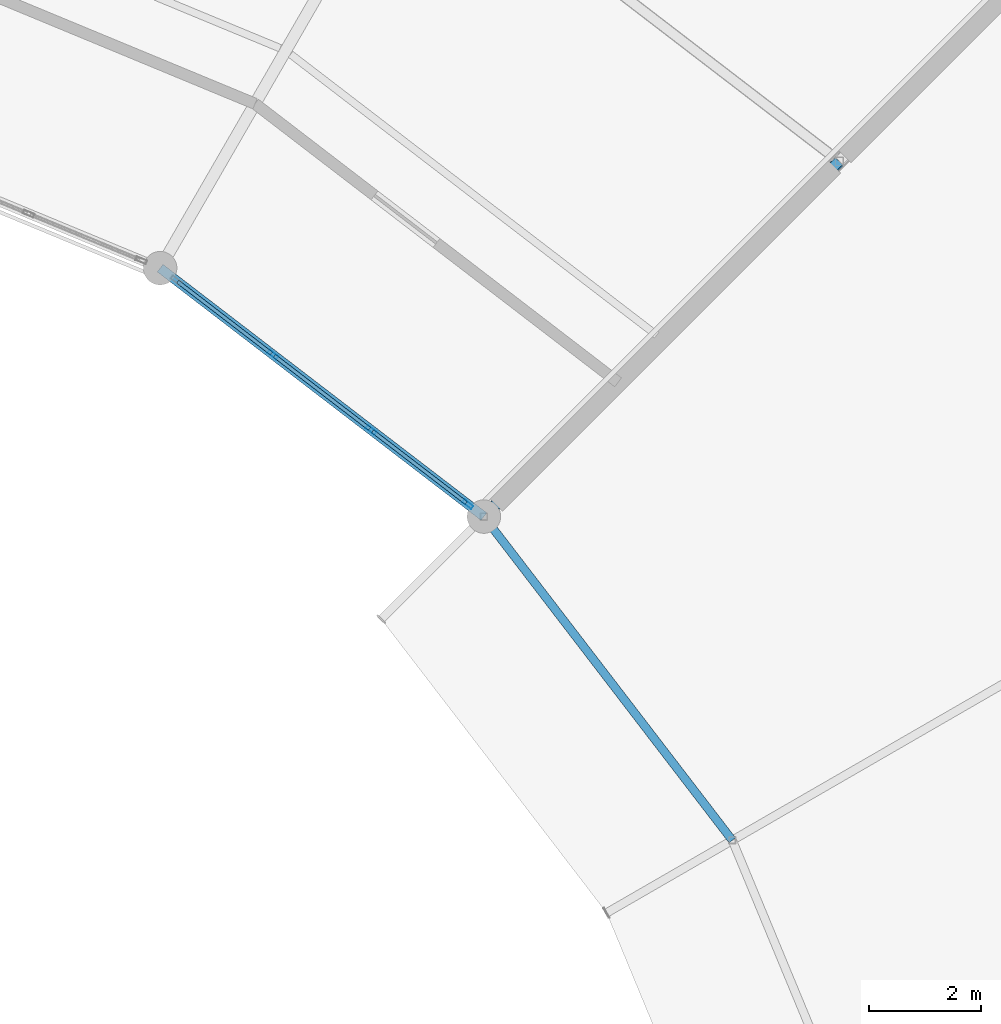
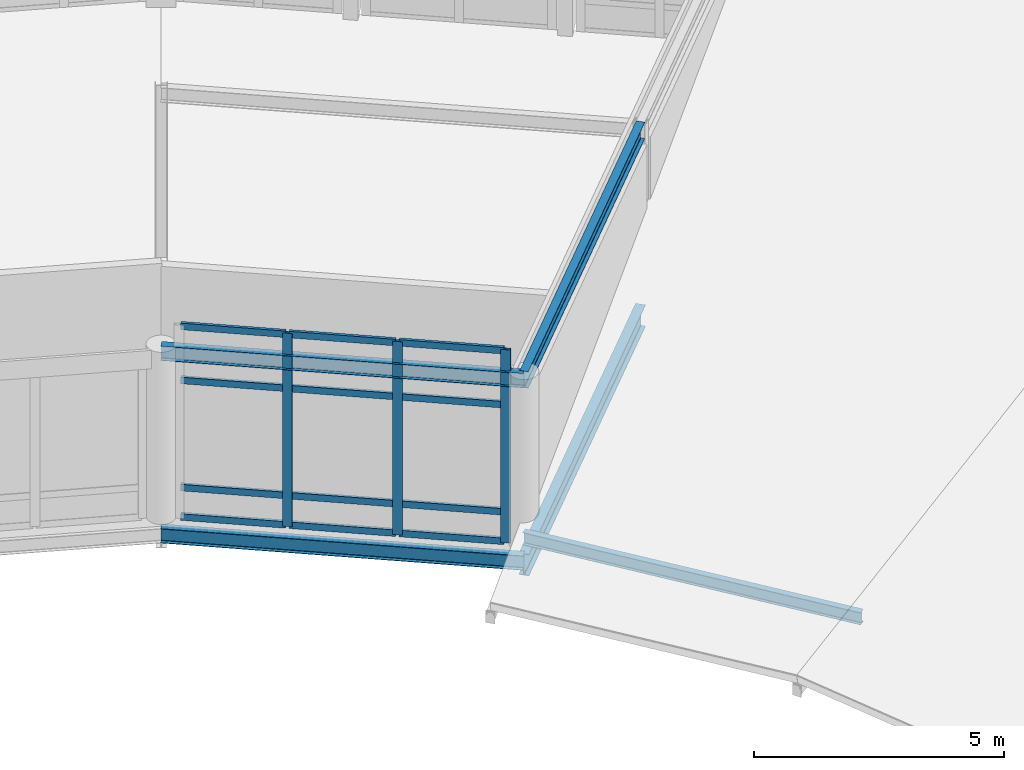
# One storey, part 86 of 200: 15 members, 5 beams, 1 element without a shape of its own.
"""IFC4 building model written with IfcOpenShell, lengths in metres."""

from ifc_helpers import new_model, si_unit, direction, frame, origin, origin_2d, place, context, subcontext, project, spatial, hollow_rectangle, i_section, extrude, material, material_profile, profile_set, type_object, element, aggregate, save


model = new_model("IFC4")

# Units and contexts
model_context = context("Model", 3, precision=1e-05, world=origin(), true_north=direction((0.0, 1.0)))
body_context = subcontext(model_context, "Body", "Model", "MODEL_VIEW")
ifc_project = project(units=[si_unit("LENGTHUNIT", "METRE"), si_unit("AREAUNIT", "SQUARE_METRE"), si_unit("VOLUMEUNIT", "CUBIC_METRE"), si_unit("PLANEANGLEUNIT", "RADIAN"), si_unit("MASSUNIT", "GRAM", prefix="KILO")], contexts=[model_context])

# Site, building, storey
site_placement = place(None, origin())
site = spatial("IfcSite", under=ifc_project, at=site_placement, CompositionType="ELEMENT")
building_placement = place(site_placement, origin())
building = spatial("IfcBuilding", under=site, at=building_placement, Name="Vondelvale Polytechnic", CompositionType="ELEMENT")
storey_placement = place(building_placement, frame((0.0, 0.0, 13.800048828125)))
storey = spatial("IfcBuildingStorey", under=building, at=storey_placement, Name="L03", CompositionType="ELEMENT", Elevation=13.800048828125)

# Beams
ifc_material_1 = material(Name="Steel 300PLUS (fy = 300 MPa)", Category="steel")
ifc_material_profile_1 = material_profile(ifc_material_1, i_section(OverallWidth=0.14892578125, OverallDepth=0.298095703125, WebThickness=0.005615234375, FlangeThickness=0.008056640625, FilletRadius=0.011474609375, at=origin_2d()), Name="310UB32.0")
ifc_profile_set_1 = profile_set([ifc_material_profile_1], Name="Steel 300PLUS (fy = 300 MPa)")
beam_type_1 = type_object("IfcBeamType", Name="BM-UB310L", PredefinedType="BEAM", material=ifc_profile_set_1)
beam_1_placement = place(storey_placement, frame((126.248779296875, 86.0, 0.16259765625), z_axis=(-0.608754744979, 0.793358469083, 0.0), x_axis=(-0.793358469083, -0.608754744979, 0.0)))
element("IfcBeam", 1, at=beam_1_placement, inside=storey, type_object=beam_type_1, Name="L03 RE B-25", PredefinedType="BEAM", context=body_context, shape_type="SweptSolid", body=[
    extrude(i_section(OverallWidth=0.14892578125, OverallDepth=0.298095703125, WebThickness=0.005615234375, FlangeThickness=0.008056640625, FilletRadius=0.011474609375, at=origin_2d()), origin(), (0.0, 0.0, 1.0), 7.3095703125),
])
ifc_material_profile_2 = material_profile(ifc_material_1, i_section(OverallWidth=0.1708984375, OverallDepth=0.35205078125, WebThickness=0.0068359375, FlangeThickness=0.009765625, FilletRadius=0.011474609375, at=origin_2d()), Name="360UB44.7")
ifc_profile_set_2 = profile_set([ifc_material_profile_2], Name="Steel 300PLUS (fy = 300 MPa)")
beam_type_2 = type_object("IfcBeamType", Name="BM-UB360L", PredefinedType="BEAM", material=ifc_profile_set_2)
for number, where, z_axis, x_axis, name in (
    (2, (121.799072265625, 91.799072265625, -0.426025390625), (-0.793358469083, 0.608754744979, 0.0), (-0.608754744979, -0.793358469083, 0.0), "L03 RB B-24"),
    (3, (121.799072265625, 91.799072265625, 4.02392578125), (-0.793358469083, 0.608754744979, 0.0), (-0.608754744979, -0.793358469083, 0.0), "L03 RE B-24"),
):
    element("IfcBeam", number, at=place(storey_placement, frame(where, z_axis=z_axis, x_axis=x_axis)), inside=storey, type_object=beam_type_2, Name=name, PredefinedType="BEAM", context=body_context, shape_type="SweptSolid", body=[
        extrude(i_section(OverallWidth=0.1708984375, OverallDepth=0.35205078125, WebThickness=0.0068359375, FlangeThickness=0.009765625, FilletRadius=0.011474609375, at=origin_2d()), origin(), (0.0, 0.0, 1.0), 7.3095703125),
    ])
ifc_material_profile_3 = material_profile(ifc_material_1, i_section(OverallWidth=0.177978515625, OverallDepth=0.403076171875, WebThickness=0.007568359375, FlangeThickness=0.010986328125, FilletRadius=0.011474609375, at=origin_2d()), Name="410UB53.7")
ifc_profile_set_3 = profile_set([ifc_material_profile_3], Name="Steel 300PLUS (fy = 300 MPa)")
beam_type_3 = type_object("IfcBeamType", Name="BM-UB410L", PredefinedType="BEAM", material=ifc_profile_set_3)
beam_2_placement = place(storey_placement, frame((121.799072265625, 91.799072265625, 3.99853515625), z_axis=(0.707106781187, 0.707106781187, 0.0), x_axis=(-0.707106781187, 0.707106781187, 0.0)))
element("IfcBeam", 4, at=beam_2_placement, inside=storey, type_object=beam_type_3, Name="L03 REG B-23", PredefinedType="BEAM", context=body_context, shape_type="SweptSolid", body=[
    extrude(i_section(OverallWidth=0.177978515625, OverallDepth=0.403076171875, WebThickness=0.007568359375, FlangeThickness=0.010986328125, FilletRadius=0.011474609375, at=origin_2d()), origin(), (0.0, 0.0, 1.0), 9.0),
])
ifc_material_profile_4 = material_profile(ifc_material_1, i_section(OverallWidth=0.208984375, OverallDepth=0.528076171875, WebThickness=0.009521484375, FlangeThickness=0.01318359375, FilletRadius=0.013916015625, at=origin_2d()), Name="530UB82.0")
ifc_profile_set_4 = profile_set([ifc_material_profile_4], Name="Steel 300PLUS (fy = 300 MPa)")
beam_type_4 = type_object("IfcBeamType", Name="BM-UB530L", PredefinedType="BEAM", material=ifc_profile_set_4)
beam_3_placement = place(storey_placement, frame((121.799072265625, 91.799072265625, -0.51416015625), z_axis=(0.707106781187, 0.707106781187, 0.0), x_axis=(-0.707106781187, 0.707106781187, 0.0)))
element("IfcBeam", 5, at=beam_3_placement, inside=storey, type_object=beam_type_4, Name="L03 RG B-21", PredefinedType="BEAM", context=body_context, shape_type="SweptSolid", body=[
    extrude(i_section(OverallWidth=0.208984375, OverallDepth=0.528076171875, WebThickness=0.009521484375, FlangeThickness=0.01318359375, FilletRadius=0.013916015625, at=origin_2d()), origin(), (0.0, 0.0, 1.0), 9.0),
])

# Curtain wall, members
ifc_material_2 = material(Name="Anodised extruded aluminium 6063-T6", Category="aluminium")
curtain_wall_type = type_object("IfcCurtainWallType", Name="CW-RING-CLOISTER", PredefinedType="NOTDEFINED", material=ifc_material_2)
curtain_wall_placement = place(storey_placement, origin())
curtain_wall = element("IfcCurtainWall", 6, at=curtain_wall_placement, inside=storey, type_object=curtain_wall_type, Name="L03 architectural curtain wall CW-03-108", PredefinedType="NOTDEFINED")
ifc_material_profile_5 = material_profile(ifc_material_2, hollow_rectangle(XDim=0.070068359375, YDim=0.199951171875, WallThickness=0.00390625, at=origin_2d()), Name="CW-MUL-200x70")
ifc_profile_set_5 = profile_set([ifc_material_profile_5], Name="Anodised extruded aluminium 6063-T6")
member_type_1 = type_object("IfcMemberType", Name="CW-MUL-70x200", PredefinedType="MULLION", material=ifc_profile_set_5)
member_1_placement = place(storey_placement, frame((121.510498046875, 92.0205078125, 0.0), z_axis=(0.0, 0.0, 1.0), x_axis=(-0.608747717793, -0.793363861089, 0.0)))
member_1 = element("IfcMember", 7, at=member_1_placement, type_object=member_type_1, Name="CW-03-108 mullion 1", PredefinedType="MULLION", context=body_context, shape_type="SweptSolid", body=[
    extrude(hollow_rectangle(XDim=0.070068359375, YDim=0.199951171875, WallThickness=0.00390625, at=origin_2d()), origin(), (0.0, 0.0, 1.0), 4.713134765625),
])
member_2_placement = place(storey_placement, frame((119.779052734375, 93.348876953125, 0.0), z_axis=(0.0, 0.0, 1.0), x_axis=(-0.608747717793, -0.793363861089, 0.0)))
member_2 = element("IfcMember", 8, at=member_2_placement, type_object=member_type_1, Name="CW-03-108 mullion 2", PredefinedType="MULLION", context=body_context, shape_type="SweptSolid", body=[
    extrude(hollow_rectangle(XDim=0.070068359375, YDim=0.199951171875, WallThickness=0.00390625, at=origin_2d()), origin(), (0.0, 0.0, 1.0), 4.713134765625),
])
member_3_placement = place(storey_placement, frame((118.02001953125, 94.69873046875, 0.0), z_axis=(0.0, 0.0, 1.0), x_axis=(-0.608747717793, -0.793363861089, 0.0)))
member_3 = element("IfcMember", 9, at=member_3_placement, type_object=member_type_1, Name="CW-03-108 mullion 3", PredefinedType="MULLION", context=body_context, shape_type="SweptSolid", body=[
    extrude(hollow_rectangle(XDim=0.070068359375, YDim=0.199951171875, WallThickness=0.00390625, at=origin_2d()), origin(), (0.0, 0.0, 1.0), 4.713134765625),
])
ifc_material_profile_6 = material_profile(ifc_material_2, hollow_rectangle(XDim=0.06494140625, YDim=0.159912109375, WallThickness=0.00341796875, at=origin_2d()), Name="CW-TRN-160x65")
ifc_profile_set_6 = profile_set([ifc_material_profile_6], Name="Anodised extruded aluminium 6063-T6")
member_type_2 = type_object("IfcMemberType", Name="CW-TRN-70x160", PredefinedType="USERDEFINED", material=ifc_profile_set_6)
member_4_placement = place(storey_placement, frame((121.482666015625, 92.041748046875, 0.032470703125), z_axis=(-0.793349569285, 0.608766343448, 0.0), x_axis=(-0.608766343448, -0.793349569285, 0.0)))
member_4 = element("IfcMember", 10, at=member_4_placement, type_object=member_type_2, Name="CW-03-108 transom 1.1", ObjectType="TRANSOM", PredefinedType="USERDEFINED", context=body_context, shape_type="SweptSolid", body=[
    extrude(hollow_rectangle(XDim=0.06494140625, YDim=0.159912109375, WallThickness=0.00341796875, at=origin_2d()), origin(), (0.0, 0.0, 1.0), 2.1123046875),
])
member_5_placement = place(storey_placement, frame((121.482666015625, 92.041748046875, 0.75), z_axis=(-0.793349569285, 0.608766343448, 0.0), x_axis=(-0.608766343448, -0.793349569285, 0.0)))
member_5 = element("IfcMember", 11, at=member_5_placement, type_object=member_type_2, Name="CW-03-108 transom 1.2", ObjectType="TRANSOM", PredefinedType="USERDEFINED", context=body_context, shape_type="SweptSolid", body=[
    extrude(hollow_rectangle(XDim=0.06494140625, YDim=0.159912109375, WallThickness=0.00341796875, at=origin_2d()), origin(), (0.0, 0.0, 1.0), 2.1123046875),
])
member_6_placement = place(storey_placement, frame((121.482666015625, 92.041748046875, 3.363037109375), z_axis=(-0.793349569285, 0.608766343448, 0.0), x_axis=(-0.608766343448, -0.793349569285, 0.0)))
member_6 = element("IfcMember", 12, at=member_6_placement, type_object=member_type_2, Name="CW-03-108 transom 1.3", ObjectType="TRANSOM", PredefinedType="USERDEFINED", context=body_context, shape_type="SweptSolid", body=[
    extrude(hollow_rectangle(XDim=0.06494140625, YDim=0.159912109375, WallThickness=0.00341796875, at=origin_2d()), origin(), (0.0, 0.0, 1.0), 2.1123046875),
])
member_7_placement = place(storey_placement, frame((121.482666015625, 92.041748046875, 4.6806640625), z_axis=(-0.793349569285, 0.608766343448, 0.0), x_axis=(-0.608766343448, -0.793349569285, 0.0)))
member_7 = element("IfcMember", 13, at=member_7_placement, type_object=member_type_2, Name="CW-03-108 transom 1.4", ObjectType="TRANSOM", PredefinedType="USERDEFINED", context=body_context, shape_type="SweptSolid", body=[
    extrude(hollow_rectangle(XDim=0.06494140625, YDim=0.159912109375, WallThickness=0.00341796875, at=origin_2d()), origin(), (0.0, 0.0, 1.0), 2.1123046875),
])
member_8_placement = place(storey_placement, frame((119.751220703125, 93.370361328125, 0.032470703125), z_axis=(-0.793375728306, 0.608732251269, 0.0), x_axis=(-0.608732251269, -0.793375728306, 0.0)))
member_8 = element("IfcMember", 14, at=member_8_placement, type_object=member_type_2, Name="CW-03-108 transom 2.1", ObjectType="TRANSOM", PredefinedType="USERDEFINED", context=body_context, shape_type="SweptSolid", body=[
    extrude(hollow_rectangle(XDim=0.06494140625, YDim=0.159912109375, WallThickness=0.00341796875, at=origin_2d()), origin(), (0.0, 0.0, 1.0), 2.147216796875),
])
member_9_placement = place(storey_placement, frame((119.751220703125, 93.370361328125, 0.75), z_axis=(-0.793375728306, 0.608732251269, 0.0), x_axis=(-0.608732251269, -0.793375728306, 0.0)))
member_9 = element("IfcMember", 15, at=member_9_placement, type_object=member_type_2, Name="CW-03-108 transom 2.2", ObjectType="TRANSOM", PredefinedType="USERDEFINED", context=body_context, shape_type="SweptSolid", body=[
    extrude(hollow_rectangle(XDim=0.06494140625, YDim=0.159912109375, WallThickness=0.00341796875, at=origin_2d()), origin(), (0.0, 0.0, 1.0), 2.147216796875),
])
member_10_placement = place(storey_placement, frame((119.751220703125, 93.370361328125, 3.363037109375), z_axis=(-0.793375728306, 0.608732251269, 0.0), x_axis=(-0.608732251269, -0.793375728306, 0.0)))
member_10 = element("IfcMember", 16, at=member_10_placement, type_object=member_type_2, Name="CW-03-108 transom 2.3", ObjectType="TRANSOM", PredefinedType="USERDEFINED", context=body_context, shape_type="SweptSolid", body=[
    extrude(hollow_rectangle(XDim=0.06494140625, YDim=0.159912109375, WallThickness=0.00341796875, at=origin_2d()), origin(), (0.0, 0.0, 1.0), 2.147216796875),
])
member_11_placement = place(storey_placement, frame((119.751220703125, 93.370361328125, 4.6806640625), z_axis=(-0.793375728306, 0.608732251269, 0.0), x_axis=(-0.608732251269, -0.793375728306, 0.0)))
member_11 = element("IfcMember", 17, at=member_11_placement, type_object=member_type_2, Name="CW-03-108 transom 2.4", ObjectType="TRANSOM", PredefinedType="USERDEFINED", context=body_context, shape_type="SweptSolid", body=[
    extrude(hollow_rectangle(XDim=0.06494140625, YDim=0.159912109375, WallThickness=0.00341796875, at=origin_2d()), origin(), (0.0, 0.0, 1.0), 2.147216796875),
])
member_12_placement = place(storey_placement, frame((117.9921875, 94.719970703125, 0.032470703125), z_axis=(-0.793336583571, 0.608783266169, 0.0), x_axis=(-0.608783266169, -0.793336583571, 0.0)))
member_12 = element("IfcMember", 18, at=member_12_placement, type_object=member_type_2, Name="CW-03-108 transom 3.1", ObjectType="TRANSOM", PredefinedType="USERDEFINED", context=body_context, shape_type="SweptSolid", body=[
    extrude(hollow_rectangle(XDim=0.06494140625, YDim=0.159912109375, WallThickness=0.00341796875, at=origin_2d()), origin(), (0.0, 0.0, 1.0), 2.112548828125),
])
member_13_placement = place(storey_placement, frame((117.9921875, 94.719970703125, 0.75), z_axis=(-0.793336583571, 0.608783266169, 0.0), x_axis=(-0.608783266169, -0.793336583571, 0.0)))
member_13 = element("IfcMember", 19, at=member_13_placement, type_object=member_type_2, Name="CW-03-108 transom 3.2", ObjectType="TRANSOM", PredefinedType="USERDEFINED", context=body_context, shape_type="SweptSolid", body=[
    extrude(hollow_rectangle(XDim=0.06494140625, YDim=0.159912109375, WallThickness=0.00341796875, at=origin_2d()), origin(), (0.0, 0.0, 1.0), 2.112548828125),
])
member_14_placement = place(storey_placement, frame((117.9921875, 94.719970703125, 3.363037109375), z_axis=(-0.793336583571, 0.608783266169, 0.0), x_axis=(-0.608783266169, -0.793336583571, 0.0)))
member_14 = element("IfcMember", 20, at=member_14_placement, type_object=member_type_2, Name="CW-03-108 transom 3.3", ObjectType="TRANSOM", PredefinedType="USERDEFINED", context=body_context, shape_type="SweptSolid", body=[
    extrude(hollow_rectangle(XDim=0.06494140625, YDim=0.159912109375, WallThickness=0.00341796875, at=origin_2d()), origin(), (0.0, 0.0, 1.0), 2.112548828125),
])
member_15_placement = place(storey_placement, frame((117.9921875, 94.719970703125, 4.6806640625), z_axis=(-0.793336583571, 0.608783266169, 0.0), x_axis=(-0.608783266169, -0.793336583571, 0.0)))
member_15 = element("IfcMember", 21, at=member_15_placement, type_object=member_type_2, Name="CW-03-108 transom 3.4", ObjectType="TRANSOM", PredefinedType="USERDEFINED", context=body_context, shape_type="SweptSolid", body=[
    extrude(hollow_rectangle(XDim=0.06494140625, YDim=0.159912109375, WallThickness=0.00341796875, at=origin_2d()), origin(), (0.0, 0.0, 1.0), 2.112548828125),
])
aggregate(curtain_wall, [member_1, member_2, member_3, member_4, member_5, member_6, member_7, member_8, member_9, member_10, member_11, member_12, member_13, member_14, member_15])

save(model, "model.ifc")
